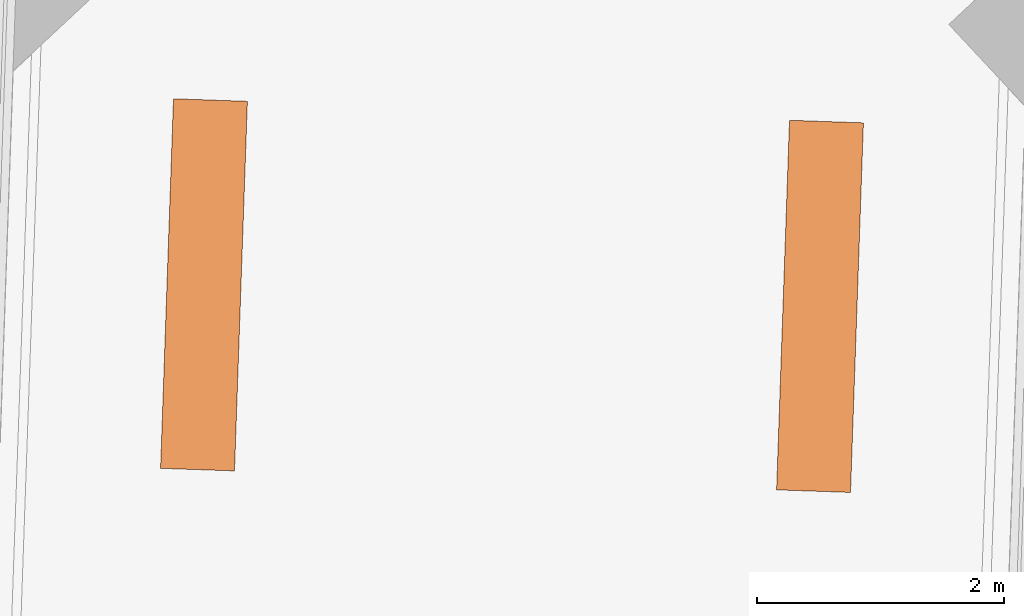
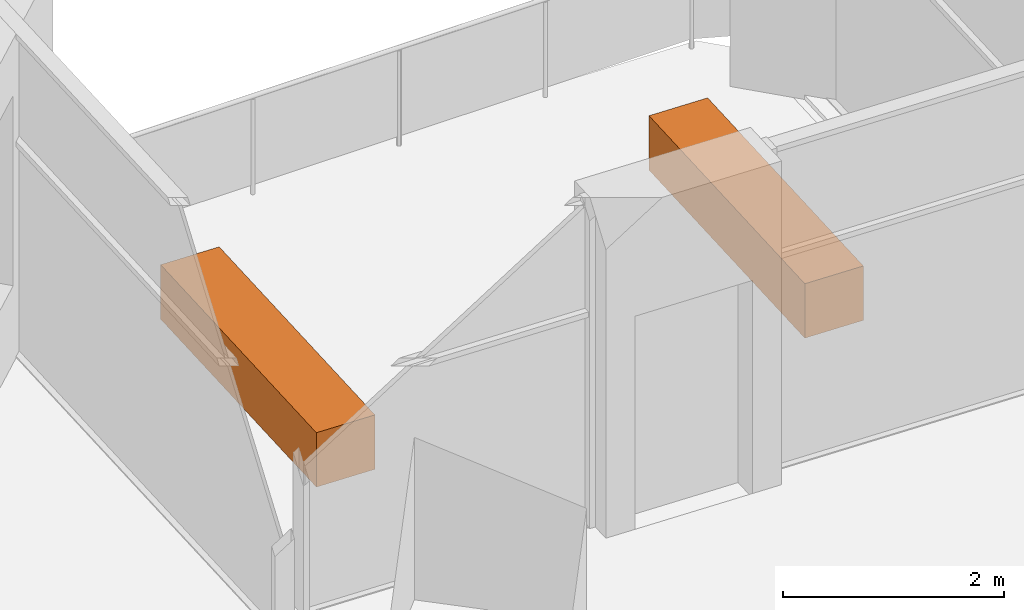
# One storey, part 10 of 10: 2 proxies.
"""IFC4 building model written with IfcOpenShell, lengths in metres."""

from ifc_helpers import new_model, si_unit, direction, frame, origin, origin_2d, place, context, subcontext, project, spatial, rectangle, extrude, element, save


model = new_model("IFC4")

# Units and contexts
model_context = context("Model", 3, precision=1e-05, world=origin(), true_north=direction((0.0, 1.0)))
body_context = subcontext(model_context, "Body", "Model", "MODEL_VIEW")
ifc_project = project(units=[si_unit("LENGTHUNIT", "METRE"), si_unit("AREAUNIT", "SQUARE_METRE"), si_unit("VOLUMEUNIT", "CUBIC_METRE"), si_unit("PLANEANGLEUNIT", "RADIAN"), si_unit("MASSUNIT", "GRAM", prefix="KILO")], contexts=[model_context])

# Site, building, storey
site_placement = place(None, origin())
site = spatial("IfcSite", under=ifc_project, at=site_placement, CompositionType="ELEMENT")
building_placement = place(site_placement, origin())
building = spatial("IfcBuilding", under=site, at=building_placement, Name="Dilmun Exchange Tower", CompositionType="ELEMENT")
storey_placement = place(building_placement, frame((0.0, 0.0, 201.300048828125)))
storey = spatial("IfcBuildingStorey", under=building, at=storey_placement, Name="L47", CompositionType="ELEMENT", Elevation=201.300048828125)

# Proxies
for number, where, z_axis, x_axis, name in (
    (1, (7.15771484375, 32.025146484375, 0.0), (0.0, 0.0, 1.0), (0.034899496703, 0.999390827019, 0.0), "PLANTER Date palm L47.1"),
    (2, (2.16064453125, 32.19970703125, 0.0), (0.0, 0.0, 1.0), (0.034899496703, 0.999390827019, 0.0), "PLANTER Date palm L47.2"),
):
    element("IfcBuildingElementProxy", number, at=place(storey_placement, frame(where, z_axis=z_axis, x_axis=x_axis)), inside=storey, Name=name, ObjectType="PLANTER", PredefinedType="USERDEFINED", context=body_context, shape_type="SweptSolid", body=[
        extrude(rectangle(XDim=3.0, YDim=0.60009765625, at=origin_2d()), origin(), (0.0, 0.0, 1.0), 0.60009765625),
    ])

save(model, "model.ifc")
